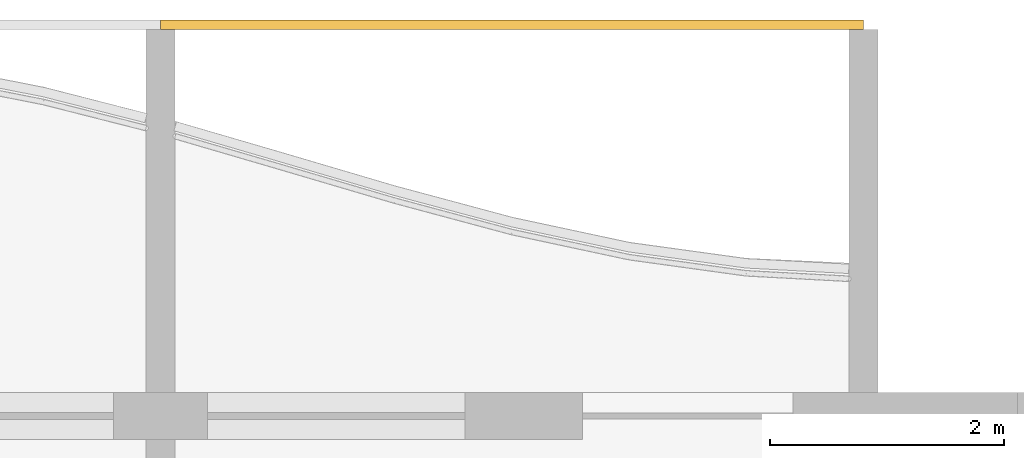
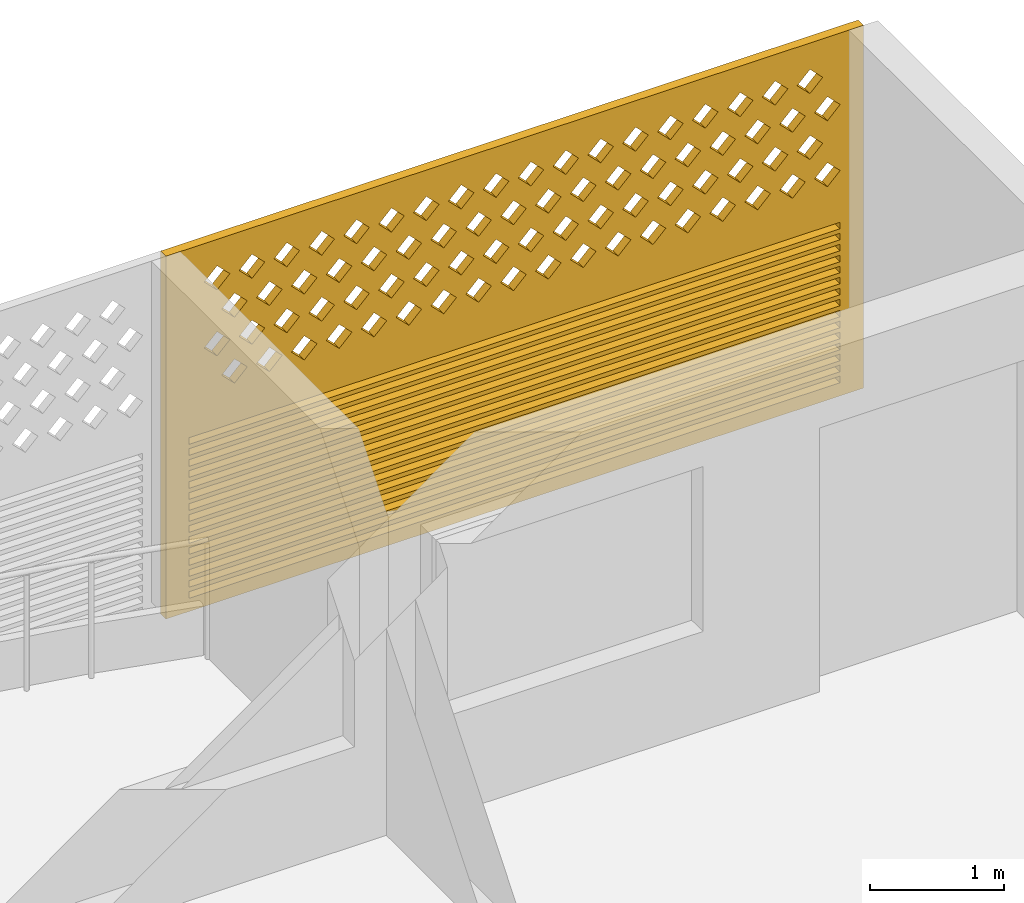
# One storey, part 28 of 28: 1 covering.
"""IFC4 building model written with IfcOpenShell, lengths in metres."""

import ifcopenshell
import ifcopenshell.guid

model = None  # the IFC model being written
_history = None  # IfcOwnerHistory: only IFC2X3 demands one
_inside = {}  # id of a spatial element -> (the spatial element, [elements in it])
_under = {}  # id of a project, library or spatial element -> (it, [spatial elements below it])
_declared = {}  # id of a project -> (the project, [libraries it declares])
_typed = {}  # id of a type object -> (the type object, [elements of that type])
_made_of = {}  # id of a material, layer set ... -> (it, [elements and type objects made of it])


def new_model(schema):
    """Start an empty IFC model of exactly this schema.

    Asked for "IFC4X3", IfcOpenShell would pick the latest addendum, in which some entities
    have other attributes; the version numbers below select the first issue.
    IFC2X3 requires an IfcOwnerHistory on every rooted entity: one is made here for all.
    """
    global model, _history
    if schema == "IFC4X3":
        model = ifcopenshell.file(schema_version=(4, 3, 0, 0))
    else:
        model = ifcopenshell.file(schema=schema)
    _inside.clear()
    _under.clear()
    _declared.clear()
    _typed.clear()
    _made_of.clear()
    _history = None
    if model.schema == "IFC2X3":
        org = make("IfcOrganization", Name="unknown")
        user = make(
            "IfcPersonAndOrganization",
            ThePerson=make("IfcPerson", FamilyName="unknown"),
            TheOrganization=org,
        )
        app = make(
            "IfcApplication",
            ApplicationDeveloper=org,
            Version="unknown",
            ApplicationFullName="unknown",
            ApplicationIdentifier="unknown",
        )
        _history = make(
            "IfcOwnerHistory",
            OwningUser=user,
            OwningApplication=app,
            ChangeAction="ADDED",
            CreationDate=0,
        )
    return model


def make(cls, **values):
    """One entity of the class cls with the attributes given. An attribute that is None is left unset."""
    return model.create_entity(
        cls, **{name: value for name, value in values.items() if value is not None}
    )


def rooted(cls, **values):
    """An entity with a GlobalId (a new one), such as an element, a storey or a relation."""
    return make(cls, GlobalId=ifcopenshell.guid.new(), OwnerHistory=_history, **values)


def si_unit(unit_type, name, prefix=None):
    """IfcSIUnit, for example si_unit("LENGTHUNIT", "METRE", prefix="MILLI")."""
    return make("IfcSIUnit", UnitType=unit_type, Prefix=prefix, Name=name)


def assignment(units):
    """IfcUnitAssignment: the units of a project."""
    return None if units is None else make("IfcUnitAssignment", Units=units)


def point(xyz):
    """IfcCartesianPoint."""
    return None if xyz is None else make("IfcCartesianPoint", Coordinates=xyz)


def direction(xyz):
    """IfcDirection."""
    return None if xyz is None else make("IfcDirection", DirectionRatios=xyz)


def frame(location, z_axis=None, x_axis=None):
    """IfcAxis2Placement3D, a coordinate frame: its origin and axes. An axis left out is left unset."""
    return make(
        "IfcAxis2Placement3D",
        Location=point(location),
        Axis=direction(z_axis),
        RefDirection=direction(x_axis),
    )


def origin():
    """The frame at (0, 0, 0) with its axes left unset."""
    return frame((0.0, 0.0, 0.0))


def place(relative_to, where):
    """IfcLocalPlacement: puts the frame where relative to a parent placement (None: the world)."""
    return make(
        "IfcLocalPlacement", PlacementRelTo=relative_to, RelativePlacement=where
    )


def context(
    kind, dimensions, precision=None, world=None, true_north=None, identifier=None
):
    """IfcGeometricRepresentationContext, for example the 3D "Model" context."""
    return make(
        "IfcGeometricRepresentationContext",
        ContextIdentifier=identifier,
        ContextType=kind,
        CoordinateSpaceDimension=dimensions,
        Precision=precision,
        WorldCoordinateSystem=world,
        TrueNorth=true_north,
    )


def subcontext(parent, identifier, kind, view, scale=None):
    """IfcGeometricRepresentationSubContext, for example "Body" below "Model"."""
    return make(
        "IfcGeometricRepresentationSubContext",
        ContextIdentifier=identifier,
        ContextType=kind,
        ParentContext=parent,
        TargetScale=scale,
        TargetView=view,
    )


def project(units=None, contexts=None):
    """IfcProject with its units and contexts."""
    return rooted(
        "IfcProject",
        Name="project",
        RepresentationContexts=contexts,
        UnitsInContext=assignment(units),
    )


def spatial(cls, under=None, at=None, **own):
    """A site, building, storey or space (cls), placed at a placement, below another one or the project."""
    s = rooted(cls, ObjectPlacement=at, **own)
    if under is not None:
        _under.setdefault(under.id(), (under, []))[1].append(s)
    return s


def polyline(points):
    """IfcPolyline through the points."""
    return make("IfcPolyline", Points=[point(p) for p in points])


def outline(outer, holes=None, kind="AREA"):
    """IfcArbitraryClosedProfileDef: a profile drawn as a closed curve; with holes, ...WithVoids."""
    if holes is None:
        return make("IfcArbitraryClosedProfileDef", ProfileType=kind, OuterCurve=outer)
    return make(
        "IfcArbitraryProfileDefWithVoids",
        ProfileType=kind,
        OuterCurve=outer,
        InnerCurves=holes,
    )


def extrude(swept, where, along, depth):
    """IfcExtrudedAreaSolid: the profile swept, set in the frame where, extruded along a direction by depth."""
    return make(
        "IfcExtrudedAreaSolid",
        SweptArea=swept,
        Position=where,
        ExtrudedDirection=direction(along),
        Depth=depth,
    )


def shape(context_of_items, identifier, shape_type, items):
    """IfcShapeRepresentation: the items that make up one representation, for example the "Body"."""
    return make(
        "IfcShapeRepresentation",
        ContextOfItems=context_of_items,
        RepresentationIdentifier=identifier,
        RepresentationType=shape_type,
        Items=items,
    )


def source(mapping_origin, context_of_items, identifier, shape_type, items):
    """IfcRepresentationMap: a shape defined once, which mapped items show again and again."""
    return make(
        "IfcRepresentationMap",
        MappingOrigin=mapping_origin,
        MappedRepresentation=shape(context_of_items, identifier, shape_type, items),
    )


def transform(
    local_origin,
    x_axis=None,
    y_axis=None,
    z_axis=None,
    scale=None,
    scale2=None,
    scale3=None,
    uniform=True,
):
    """IfcCartesianTransformationOperator3D, or its non-uniform kind. x_axis, y_axis, z_axis: its Axis1, 2, 3."""
    if uniform:
        return make(
            "IfcCartesianTransformationOperator3D",
            Axis1=direction(x_axis),
            Axis2=direction(y_axis),
            LocalOrigin=point(local_origin),
            Scale=scale,
            Axis3=direction(z_axis),
        )
    return make(
        "IfcCartesianTransformationOperator3DnonUniform",
        Axis1=direction(x_axis),
        Axis2=direction(y_axis),
        LocalOrigin=point(local_origin),
        Scale=scale,
        Axis3=direction(z_axis),
        Scale2=scale2,
        Scale3=scale3,
    )


def mapped(mapping_source, mapping_target):
    """IfcMappedItem: shows the shape of a source again, moved by a transform."""
    return make(
        "IfcMappedItem", MappingSource=mapping_source, MappingTarget=mapping_target
    )


def material(Name=None, Category=None):
    """IfcMaterial."""
    return make("IfcMaterial", Name=Name, Category=Category)


def material_profile(
    of_material, cross_section, Name=None, Category=None, Priority=None
):
    """IfcMaterialProfile: a cross section and its material."""
    return make(
        "IfcMaterialProfile",
        Name=Name,
        Material=of_material,
        Profile=cross_section,
        Priority=Priority,
        Category=Category,
    )


def profile_set(profiles, Name=None, composite=None):
    """IfcMaterialProfileSet."""
    return make(
        "IfcMaterialProfileSet",
        Name=Name,
        MaterialProfiles=profiles,
        CompositeProfile=composite,
    )


def made_of(thing, what):
    """Note that an element or type object is made of a material, layer set ...; save() writes the relation."""
    if what is not None:
        _made_of.setdefault(what.id(), (what, []))[1].append(thing)
    return thing


def type_object(cls, material=None, **own):
    """A type object (cls), such as IfcWallType, which elements share."""
    return made_of(rooted(cls, **own), material)


def element(
    cls,
    number,
    at=None,
    inside=None,
    cuts=None,
    type_object=None,
    material=None,
    context=None,
    identifier="Body",
    shape_type=None,
    held_by="IfcProductDefinitionShape",
    body=None,
    shapes=None,
    **own,
):
    """One element of the class cls, such as IfcWall. Its Tag is "e" and its number.

    at: its placement. inside: the storey or other place that contains it. cuts: it is an
    opening in that element (IfcRelVoidsElement). A single representation is given by context,
    identifier, shape_type and body (its items); several are given by shapes. held_by: the class
    of the entity that holds the representations. save() writes the other relations.
    """
    e = rooted(cls, Tag="e%d" % number, ObjectPlacement=at, **own)
    if body is not None:
        shapes = [shape(context, identifier, shape_type, body)]
    if shapes is not None:
        e.Representation = make(held_by, Representations=shapes)
    if inside is not None:
        _inside.setdefault(inside.id(), (inside, []))[1].append(e)
    if cuts is not None:
        rooted(
            "IfcRelVoidsElement", RelatingBuildingElement=cuts, RelatedOpeningElement=e
        )
    if type_object is not None:
        _typed.setdefault(type_object.id(), (type_object, []))[1].append(e)
    return made_of(e, material)


def aggregate(whole, parts):
    """IfcRelAggregates: a whole, such as a stair, and the parts it consists of."""
    return rooted("IfcRelAggregates", RelatingObject=whole, RelatedObjects=parts)


def save(model, path):
    """Write the relations noted so far, then the file.

    IfcRelAggregates (storeys below a building ...), IfcRelContainedInSpatialStructure (elements
    in a storey), IfcRelDefinesByType, IfcRelAssociatesMaterial and IfcRelDeclares: one each for
    every whole, place, type object, material and project.
    """
    for whole, parts in _under.values():
        aggregate(whole, parts)
    for where, things in _inside.values():
        rooted(
            "IfcRelContainedInSpatialStructure",
            RelatedElements=things,
            RelatingStructure=where,
        )
    for kind, things in _typed.values():
        rooted("IfcRelDefinesByType", RelatedObjects=things, RelatingType=kind)
    for what, things in _made_of.values():
        rooted("IfcRelAssociatesMaterial", RelatedObjects=things, RelatingMaterial=what)
    for by, libraries in _declared.values():
        rooted("IfcRelDeclares", RelatingContext=by, RelatedDefinitions=libraries)
    model.write(path)


model = new_model("IFC4")

# Units and contexts
model_context = context("Model", 3, precision=1e-05, world=origin(), true_north=direction((0.0, 1.0)))
body_context = subcontext(model_context, "Body", "Model", "MODEL_VIEW")
ifc_project = project(units=[si_unit("LENGTHUNIT", "METRE"), si_unit("AREAUNIT", "SQUARE_METRE"), si_unit("VOLUMEUNIT", "CUBIC_METRE"), si_unit("PLANEANGLEUNIT", "RADIAN"), si_unit("MASSUNIT", "GRAM", prefix="KILO")], contexts=[model_context])

# Site, building, storey
site_placement = place(None, origin())
site = spatial("IfcSite", under=ifc_project, at=site_placement, CompositionType="ELEMENT")
building_placement = place(site_placement, origin())
building = spatial("IfcBuilding", under=site, at=building_placement, Name="Poui Terraces", CompositionType="ELEMENT")
storey_placement = place(building_placement, frame((0.0, 0.0, 181.800048828125)))
storey = spatial("IfcBuildingStorey", under=building, at=storey_placement, Name="L50", CompositionType="ELEMENT", Elevation=181.800048828125)

# Covering
ifc_material = material(Name="Terracotta screen", Category="masonry")
ifc_material_profile = material_profile(ifc_material, outline(polyline([(-3.0, -1.64990234375), (3.0, -1.64990234375), (3.0, 1.64990234375), (-3.0, 1.64990234375), (-3.0, -1.64990234375)]), holes=[polyline([(-2.800048828125, 0.39990234375), (-2.68994140625, 0.2900390625), (-2.580078125, 0.39990234375), (-2.68994140625, 0.510009765625), (-2.800048828125, 0.39990234375)]), polyline([(-2.5, 0.39990234375), (-2.389892578125, 0.2900390625), (-2.280029296875, 0.39990234375), (-2.389892578125, 0.510009765625), (-2.5, 0.39990234375)]), polyline([(-2.199951171875, 0.39990234375), (-2.090087890625, 0.2900390625), (-1.97998046875, 0.39990234375), (-2.090087890625, 0.510009765625), (-2.199951171875, 0.39990234375)]), polyline([(-1.89990234375, 0.39990234375), (-1.7900390625, 0.2900390625), (-1.679931640625, 0.39990234375), (-1.7900390625, 0.510009765625), (-1.89990234375, 0.39990234375)]), polyline([(-1.60009765625, 0.39990234375), (-1.489990234375, 0.2900390625), (-1.3798828125, 0.39990234375), (-1.489990234375, 0.510009765625), (-1.60009765625, 0.39990234375)]), polyline([(-1.300048828125, 0.39990234375), (-1.18994140625, 0.2900390625), (-1.080078125, 0.39990234375), (-1.18994140625, 0.510009765625), (-1.300048828125, 0.39990234375)]), polyline([(-1.0, 0.39990234375), (-0.889892578125, 0.2900390625), (-0.780029296875, 0.39990234375), (-0.889892578125, 0.510009765625), (-1.0, 0.39990234375)]), polyline([(-0.699951171875, 0.39990234375), (-0.590087890625, 0.2900390625), (-0.47998046875, 0.39990234375), (-0.590087890625, 0.510009765625), (-0.699951171875, 0.39990234375)]), polyline([(-0.39990234375, 0.39990234375), (-0.2900390625, 0.2900390625), (-0.179931640625, 0.39990234375), (-0.2900390625, 0.510009765625), (-0.39990234375, 0.39990234375)]), polyline([(-0.10009765625, 0.39990234375), (0.010009765625, 0.2900390625), (0.1201171875, 0.39990234375), (0.010009765625, 0.510009765625), (-0.10009765625, 0.39990234375)]), polyline([(0.199951171875, 0.39990234375), (0.31005859375, 0.2900390625), (0.419921875, 0.39990234375), (0.31005859375, 0.510009765625), (0.199951171875, 0.39990234375)]), polyline([(0.5, 0.39990234375), (0.610107421875, 0.2900390625), (0.719970703125, 0.39990234375), (0.610107421875, 0.510009765625), (0.5, 0.39990234375)]), polyline([(0.800048828125, 0.39990234375), (0.909912109375, 0.2900390625), (1.02001953125, 0.39990234375), (0.909912109375, 0.510009765625), (0.800048828125, 0.39990234375)]), polyline([(1.10009765625, 0.39990234375), (1.2099609375, 0.2900390625), (1.320068359375, 0.39990234375), (1.2099609375, 0.510009765625), (1.10009765625, 0.39990234375)]), polyline([(1.39990234375, 0.39990234375), (1.510009765625, 0.2900390625), (1.6201171875, 0.39990234375), (1.510009765625, 0.510009765625), (1.39990234375, 0.39990234375)]), polyline([(1.699951171875, 0.39990234375), (1.81005859375, 0.2900390625), (1.919921875, 0.39990234375), (1.81005859375, 0.510009765625), (1.699951171875, 0.39990234375)]), polyline([(2.0, 0.39990234375), (2.110107421875, 0.2900390625), (2.219970703125, 0.39990234375), (2.110107421875, 0.510009765625), (2.0, 0.39990234375)]), polyline([(2.300048828125, 0.39990234375), (2.409912109375, 0.2900390625), (2.52001953125, 0.39990234375), (2.409912109375, 0.510009765625), (2.300048828125, 0.39990234375)]), polyline([(-2.64990234375, 0.699951171875), (-2.5400390625, 0.590087890625), (-2.429931640625, 0.699951171875), (-2.5400390625, 0.81005859375), (-2.64990234375, 0.699951171875)]), polyline([(-2.35009765625, 0.699951171875), (-2.239990234375, 0.590087890625), (-2.1298828125, 0.699951171875), (-2.239990234375, 0.81005859375), (-2.35009765625, 0.699951171875)]), polyline([(-2.050048828125, 0.699951171875), (-1.93994140625, 0.590087890625), (-1.830078125, 0.699951171875), (-1.93994140625, 0.81005859375), (-2.050048828125, 0.699951171875)]), polyline([(-1.75, 0.699951171875), (-1.639892578125, 0.590087890625), (-1.530029296875, 0.699951171875), (-1.639892578125, 0.81005859375), (-1.75, 0.699951171875)]), polyline([(-1.449951171875, 0.699951171875), (-1.340087890625, 0.590087890625), (-1.22998046875, 0.699951171875), (-1.340087890625, 0.81005859375), (-1.449951171875, 0.699951171875)]), polyline([(-1.14990234375, 0.699951171875), (-1.0400390625, 0.590087890625), (-0.929931640625, 0.699951171875), (-1.0400390625, 0.81005859375), (-1.14990234375, 0.699951171875)]), polyline([(-0.85009765625, 0.699951171875), (-0.739990234375, 0.590087890625), (-0.6298828125, 0.699951171875), (-0.739990234375, 0.81005859375), (-0.85009765625, 0.699951171875)]), polyline([(-0.550048828125, 0.699951171875), (-0.43994140625, 0.590087890625), (-0.330078125, 0.699951171875), (-0.43994140625, 0.81005859375), (-0.550048828125, 0.699951171875)]), polyline([(-0.25, 0.699951171875), (-0.139892578125, 0.590087890625), (-0.030029296875, 0.699951171875), (-0.139892578125, 0.81005859375), (-0.25, 0.699951171875)]), polyline([(0.050048828125, 0.699951171875), (0.159912109375, 0.590087890625), (0.27001953125, 0.699951171875), (0.159912109375, 0.81005859375), (0.050048828125, 0.699951171875)]), polyline([(0.35009765625, 0.699951171875), (0.4599609375, 0.590087890625), (0.570068359375, 0.699951171875), (0.4599609375, 0.81005859375), (0.35009765625, 0.699951171875)]), polyline([(0.64990234375, 0.699951171875), (0.760009765625, 0.590087890625), (0.8701171875, 0.699951171875), (0.760009765625, 0.81005859375), (0.64990234375, 0.699951171875)]), polyline([(0.949951171875, 0.699951171875), (1.06005859375, 0.590087890625), (1.169921875, 0.699951171875), (1.06005859375, 0.81005859375), (0.949951171875, 0.699951171875)]), polyline([(1.25, 0.699951171875), (1.360107421875, 0.590087890625), (1.469970703125, 0.699951171875), (1.360107421875, 0.81005859375), (1.25, 0.699951171875)]), polyline([(1.550048828125, 0.699951171875), (1.659912109375, 0.590087890625), (1.77001953125, 0.699951171875), (1.659912109375, 0.81005859375), (1.550048828125, 0.699951171875)]), polyline([(1.85009765625, 0.699951171875), (1.9599609375, 0.590087890625), (2.070068359375, 0.699951171875), (1.9599609375, 0.81005859375), (1.85009765625, 0.699951171875)]), polyline([(2.14990234375, 0.699951171875), (2.260009765625, 0.590087890625), (2.3701171875, 0.699951171875), (2.260009765625, 0.81005859375), (2.14990234375, 0.699951171875)]), polyline([(2.449951171875, 0.699951171875), (2.56005859375, 0.590087890625), (2.669921875, 0.699951171875), (2.56005859375, 0.81005859375), (2.449951171875, 0.699951171875)]), polyline([(-2.800048828125, 1.0), (-2.68994140625, 0.889892578125), (-2.580078125, 1.0), (-2.68994140625, 1.110107421875), (-2.800048828125, 1.0)]), polyline([(-2.5, 1.0), (-2.389892578125, 0.889892578125), (-2.280029296875, 1.0), (-2.389892578125, 1.110107421875), (-2.5, 1.0)]), polyline([(-2.199951171875, 1.0), (-2.090087890625, 0.889892578125), (-1.97998046875, 1.0), (-2.090087890625, 1.110107421875), (-2.199951171875, 1.0)]), polyline([(-1.89990234375, 1.0), (-1.7900390625, 0.889892578125), (-1.679931640625, 1.0), (-1.7900390625, 1.110107421875), (-1.89990234375, 1.0)]), polyline([(-1.60009765625, 1.0), (-1.489990234375, 0.889892578125), (-1.3798828125, 1.0), (-1.489990234375, 1.110107421875), (-1.60009765625, 1.0)]), polyline([(-1.300048828125, 1.0), (-1.18994140625, 0.889892578125), (-1.080078125, 1.0), (-1.18994140625, 1.110107421875), (-1.300048828125, 1.0)]), polyline([(-1.0, 1.0), (-0.889892578125, 0.889892578125), (-0.780029296875, 1.0), (-0.889892578125, 1.110107421875), (-1.0, 1.0)]), polyline([(-0.699951171875, 1.0), (-0.590087890625, 0.889892578125), (-0.47998046875, 1.0), (-0.590087890625, 1.110107421875), (-0.699951171875, 1.0)]), polyline([(-0.39990234375, 1.0), (-0.2900390625, 0.889892578125), (-0.179931640625, 1.0), (-0.2900390625, 1.110107421875), (-0.39990234375, 1.0)]), polyline([(-0.10009765625, 1.0), (0.010009765625, 0.889892578125), (0.1201171875, 1.0), (0.010009765625, 1.110107421875), (-0.10009765625, 1.0)]), polyline([(0.199951171875, 1.0), (0.31005859375, 0.889892578125), (0.419921875, 1.0), (0.31005859375, 1.110107421875), (0.199951171875, 1.0)]), polyline([(0.5, 1.0), (0.610107421875, 0.889892578125), (0.719970703125, 1.0), (0.610107421875, 1.110107421875), (0.5, 1.0)]), polyline([(0.800048828125, 1.0), (0.909912109375, 0.889892578125), (1.02001953125, 1.0), (0.909912109375, 1.110107421875), (0.800048828125, 1.0)]), polyline([(1.10009765625, 1.0), (1.2099609375, 0.889892578125), (1.320068359375, 1.0), (1.2099609375, 1.110107421875), (1.10009765625, 1.0)]), polyline([(1.39990234375, 1.0), (1.510009765625, 0.889892578125), (1.6201171875, 1.0), (1.510009765625, 1.110107421875), (1.39990234375, 1.0)]), polyline([(1.699951171875, 1.0), (1.81005859375, 0.889892578125), (1.919921875, 1.0), (1.81005859375, 1.110107421875), (1.699951171875, 1.0)]), polyline([(2.0, 1.0), (2.110107421875, 0.889892578125), (2.219970703125, 1.0), (2.110107421875, 1.110107421875), (2.0, 1.0)]), polyline([(2.300048828125, 1.0), (2.409912109375, 0.889892578125), (2.52001953125, 1.0), (2.409912109375, 1.110107421875), (2.300048828125, 1.0)]), polyline([(-2.64990234375, 1.300048828125), (-2.5400390625, 1.18994140625), (-2.429931640625, 1.300048828125), (-2.5400390625, 1.409912109375), (-2.64990234375, 1.300048828125)]), polyline([(-2.35009765625, 1.300048828125), (-2.239990234375, 1.18994140625), (-2.1298828125, 1.300048828125), (-2.239990234375, 1.409912109375), (-2.35009765625, 1.300048828125)]), polyline([(-2.050048828125, 1.300048828125), (-1.93994140625, 1.18994140625), (-1.830078125, 1.300048828125), (-1.93994140625, 1.409912109375), (-2.050048828125, 1.300048828125)]), polyline([(-1.75, 1.300048828125), (-1.639892578125, 1.18994140625), (-1.530029296875, 1.300048828125), (-1.639892578125, 1.409912109375), (-1.75, 1.300048828125)]), polyline([(-1.449951171875, 1.300048828125), (-1.340087890625, 1.18994140625), (-1.22998046875, 1.300048828125), (-1.340087890625, 1.409912109375), (-1.449951171875, 1.300048828125)]), polyline([(-1.14990234375, 1.300048828125), (-1.0400390625, 1.18994140625), (-0.929931640625, 1.300048828125), (-1.0400390625, 1.409912109375), (-1.14990234375, 1.300048828125)]), polyline([(-0.85009765625, 1.300048828125), (-0.739990234375, 1.18994140625), (-0.6298828125, 1.300048828125), (-0.739990234375, 1.409912109375), (-0.85009765625, 1.300048828125)]), polyline([(-0.550048828125, 1.300048828125), (-0.43994140625, 1.18994140625), (-0.330078125, 1.300048828125), (-0.43994140625, 1.409912109375), (-0.550048828125, 1.300048828125)]), polyline([(-0.25, 1.300048828125), (-0.139892578125, 1.18994140625), (-0.030029296875, 1.300048828125), (-0.139892578125, 1.409912109375), (-0.25, 1.300048828125)]), polyline([(0.050048828125, 1.300048828125), (0.159912109375, 1.18994140625), (0.27001953125, 1.300048828125), (0.159912109375, 1.409912109375), (0.050048828125, 1.300048828125)]), polyline([(0.35009765625, 1.300048828125), (0.4599609375, 1.18994140625), (0.570068359375, 1.300048828125), (0.4599609375, 1.409912109375), (0.35009765625, 1.300048828125)]), polyline([(0.64990234375, 1.300048828125), (0.760009765625, 1.18994140625), (0.8701171875, 1.300048828125), (0.760009765625, 1.409912109375), (0.64990234375, 1.300048828125)]), polyline([(0.949951171875, 1.300048828125), (1.06005859375, 1.18994140625), (1.169921875, 1.300048828125), (1.06005859375, 1.409912109375), (0.949951171875, 1.300048828125)]), polyline([(1.25, 1.300048828125), (1.360107421875, 1.18994140625), (1.469970703125, 1.300048828125), (1.360107421875, 1.409912109375), (1.25, 1.300048828125)]), polyline([(1.550048828125, 1.300048828125), (1.659912109375, 1.18994140625), (1.77001953125, 1.300048828125), (1.659912109375, 1.409912109375), (1.550048828125, 1.300048828125)]), polyline([(1.85009765625, 1.300048828125), (1.9599609375, 1.18994140625), (2.070068359375, 1.300048828125), (1.9599609375, 1.409912109375), (1.85009765625, 1.300048828125)]), polyline([(2.14990234375, 1.300048828125), (2.260009765625, 1.18994140625), (2.3701171875, 1.300048828125), (2.260009765625, 1.409912109375), (2.14990234375, 1.300048828125)]), polyline([(2.449951171875, 1.300048828125), (2.56005859375, 1.18994140625), (2.669921875, 1.300048828125), (2.56005859375, 1.409912109375), (2.449951171875, 1.300048828125)]), polyline([(-2.800048828125, -1.530029296875), (2.800048828125, -1.530029296875), (2.800048828125, -1.469970703125), (-2.800048828125, -1.469970703125), (-2.800048828125, -1.530029296875)]), polyline([(-2.800048828125, -1.429931640625), (2.800048828125, -1.429931640625), (2.800048828125, -1.3701171875), (-2.800048828125, -1.3701171875), (-2.800048828125, -1.429931640625)]), polyline([(-2.800048828125, -1.330078125), (2.800048828125, -1.330078125), (2.800048828125, -1.27001953125), (-2.800048828125, -1.27001953125), (-2.800048828125, -1.330078125)]), polyline([(-2.800048828125, -1.22998046875), (2.800048828125, -1.22998046875), (2.800048828125, -1.169921875), (-2.800048828125, -1.169921875), (-2.800048828125, -1.22998046875)]), polyline([(-2.800048828125, -1.1298828125), (2.800048828125, -1.1298828125), (2.800048828125, -1.070068359375), (-2.800048828125, -1.070068359375), (-2.800048828125, -1.1298828125)]), polyline([(-2.800048828125, -1.030029296875), (2.800048828125, -1.030029296875), (2.800048828125, -0.969970703125), (-2.800048828125, -0.969970703125), (-2.800048828125, -1.030029296875)]), polyline([(-2.800048828125, -0.929931640625), (2.800048828125, -0.929931640625), (2.800048828125, -0.8701171875), (-2.800048828125, -0.8701171875), (-2.800048828125, -0.929931640625)]), polyline([(-2.800048828125, -0.830078125), (2.800048828125, -0.830078125), (2.800048828125, -0.77001953125), (-2.800048828125, -0.77001953125), (-2.800048828125, -0.830078125)]), polyline([(-2.800048828125, -0.72998046875), (2.800048828125, -0.72998046875), (2.800048828125, -0.669921875), (-2.800048828125, -0.669921875), (-2.800048828125, -0.72998046875)]), polyline([(-2.800048828125, -0.6298828125), (2.800048828125, -0.6298828125), (2.800048828125, -0.570068359375), (-2.800048828125, -0.570068359375), (-2.800048828125, -0.6298828125)]), polyline([(-2.800048828125, -0.530029296875), (2.800048828125, -0.530029296875), (2.800048828125, -0.469970703125), (-2.800048828125, -0.469970703125), (-2.800048828125, -0.530029296875)]), polyline([(-2.800048828125, -0.429931640625), (2.800048828125, -0.429931640625), (2.800048828125, -0.3701171875), (-2.800048828125, -0.3701171875), (-2.800048828125, -0.429931640625)]), polyline([(-2.800048828125, -0.330078125), (2.800048828125, -0.330078125), (2.800048828125, -0.27001953125), (-2.800048828125, -0.27001953125), (-2.800048828125, -0.330078125)]), polyline([(-2.800048828125, -0.22998046875), (2.800048828125, -0.22998046875), (2.800048828125, -0.169921875), (-2.800048828125, -0.169921875), (-2.800048828125, -0.22998046875)]), polyline([(-2.800048828125, -0.1298828125), (2.800048828125, -0.1298828125), (2.800048828125, -0.070068359375), (-2.800048828125, -0.070068359375), (-2.800048828125, -0.1298828125)])]), Name="TERRACOTTA SCREEN AND JALOUSIE LOUVRE 6000X3300")
ifc_profile_set = profile_set([ifc_material_profile], Name="Terracotta screen")
covering_type = type_object("IfcCoveringType", Name="TERRACOTTA SCREEN AND JALOUSIE LOUVRE 6000X3300", PredefinedType="CLADDING", material=ifc_profile_set)
shared_shape = source(origin(), body_context, "Body", "SweptSolid", [
    extrude(outline(polyline([(-3.0, -1.64990234375), (3.0, -1.64990234375), (3.0, 1.64990234375), (-3.0, 1.64990234375), (-3.0, -1.64990234375)]), holes=[polyline([(-2.800048828125, 0.39990234375), (-2.68994140625, 0.2900390625), (-2.580078125, 0.39990234375), (-2.68994140625, 0.510009765625), (-2.800048828125, 0.39990234375)]), polyline([(-2.5, 0.39990234375), (-2.389892578125, 0.2900390625), (-2.280029296875, 0.39990234375), (-2.389892578125, 0.510009765625), (-2.5, 0.39990234375)]), polyline([(-2.199951171875, 0.39990234375), (-2.090087890625, 0.2900390625), (-1.97998046875, 0.39990234375), (-2.090087890625, 0.510009765625), (-2.199951171875, 0.39990234375)]), polyline([(-1.89990234375, 0.39990234375), (-1.7900390625, 0.2900390625), (-1.679931640625, 0.39990234375), (-1.7900390625, 0.510009765625), (-1.89990234375, 0.39990234375)]), polyline([(-1.60009765625, 0.39990234375), (-1.489990234375, 0.2900390625), (-1.3798828125, 0.39990234375), (-1.489990234375, 0.510009765625), (-1.60009765625, 0.39990234375)]), polyline([(-1.300048828125, 0.39990234375), (-1.18994140625, 0.2900390625), (-1.080078125, 0.39990234375), (-1.18994140625, 0.510009765625), (-1.300048828125, 0.39990234375)]), polyline([(-1.0, 0.39990234375), (-0.889892578125, 0.2900390625), (-0.780029296875, 0.39990234375), (-0.889892578125, 0.510009765625), (-1.0, 0.39990234375)]), polyline([(-0.699951171875, 0.39990234375), (-0.590087890625, 0.2900390625), (-0.47998046875, 0.39990234375), (-0.590087890625, 0.510009765625), (-0.699951171875, 0.39990234375)]), polyline([(-0.39990234375, 0.39990234375), (-0.2900390625, 0.2900390625), (-0.179931640625, 0.39990234375), (-0.2900390625, 0.510009765625), (-0.39990234375, 0.39990234375)]), polyline([(-0.10009765625, 0.39990234375), (0.010009765625, 0.2900390625), (0.1201171875, 0.39990234375), (0.010009765625, 0.510009765625), (-0.10009765625, 0.39990234375)]), polyline([(0.199951171875, 0.39990234375), (0.31005859375, 0.2900390625), (0.419921875, 0.39990234375), (0.31005859375, 0.510009765625), (0.199951171875, 0.39990234375)]), polyline([(0.5, 0.39990234375), (0.610107421875, 0.2900390625), (0.719970703125, 0.39990234375), (0.610107421875, 0.510009765625), (0.5, 0.39990234375)]), polyline([(0.800048828125, 0.39990234375), (0.909912109375, 0.2900390625), (1.02001953125, 0.39990234375), (0.909912109375, 0.510009765625), (0.800048828125, 0.39990234375)]), polyline([(1.10009765625, 0.39990234375), (1.2099609375, 0.2900390625), (1.320068359375, 0.39990234375), (1.2099609375, 0.510009765625), (1.10009765625, 0.39990234375)]), polyline([(1.39990234375, 0.39990234375), (1.510009765625, 0.2900390625), (1.6201171875, 0.39990234375), (1.510009765625, 0.510009765625), (1.39990234375, 0.39990234375)]), polyline([(1.699951171875, 0.39990234375), (1.81005859375, 0.2900390625), (1.919921875, 0.39990234375), (1.81005859375, 0.510009765625), (1.699951171875, 0.39990234375)]), polyline([(2.0, 0.39990234375), (2.110107421875, 0.2900390625), (2.219970703125, 0.39990234375), (2.110107421875, 0.510009765625), (2.0, 0.39990234375)]), polyline([(2.300048828125, 0.39990234375), (2.409912109375, 0.2900390625), (2.52001953125, 0.39990234375), (2.409912109375, 0.510009765625), (2.300048828125, 0.39990234375)]), polyline([(-2.64990234375, 0.699951171875), (-2.5400390625, 0.590087890625), (-2.429931640625, 0.699951171875), (-2.5400390625, 0.81005859375), (-2.64990234375, 0.699951171875)]), polyline([(-2.35009765625, 0.699951171875), (-2.239990234375, 0.590087890625), (-2.1298828125, 0.699951171875), (-2.239990234375, 0.81005859375), (-2.35009765625, 0.699951171875)]), polyline([(-2.050048828125, 0.699951171875), (-1.93994140625, 0.590087890625), (-1.830078125, 0.699951171875), (-1.93994140625, 0.81005859375), (-2.050048828125, 0.699951171875)]), polyline([(-1.75, 0.699951171875), (-1.639892578125, 0.590087890625), (-1.530029296875, 0.699951171875), (-1.639892578125, 0.81005859375), (-1.75, 0.699951171875)]), polyline([(-1.449951171875, 0.699951171875), (-1.340087890625, 0.590087890625), (-1.22998046875, 0.699951171875), (-1.340087890625, 0.81005859375), (-1.449951171875, 0.699951171875)]), polyline([(-1.14990234375, 0.699951171875), (-1.0400390625, 0.590087890625), (-0.929931640625, 0.699951171875), (-1.0400390625, 0.81005859375), (-1.14990234375, 0.699951171875)]), polyline([(-0.85009765625, 0.699951171875), (-0.739990234375, 0.590087890625), (-0.6298828125, 0.699951171875), (-0.739990234375, 0.81005859375), (-0.85009765625, 0.699951171875)]), polyline([(-0.550048828125, 0.699951171875), (-0.43994140625, 0.590087890625), (-0.330078125, 0.699951171875), (-0.43994140625, 0.81005859375), (-0.550048828125, 0.699951171875)]), polyline([(-0.25, 0.699951171875), (-0.139892578125, 0.590087890625), (-0.030029296875, 0.699951171875), (-0.139892578125, 0.81005859375), (-0.25, 0.699951171875)]), polyline([(0.050048828125, 0.699951171875), (0.159912109375, 0.590087890625), (0.27001953125, 0.699951171875), (0.159912109375, 0.81005859375), (0.050048828125, 0.699951171875)]), polyline([(0.35009765625, 0.699951171875), (0.4599609375, 0.590087890625), (0.570068359375, 0.699951171875), (0.4599609375, 0.81005859375), (0.35009765625, 0.699951171875)]), polyline([(0.64990234375, 0.699951171875), (0.760009765625, 0.590087890625), (0.8701171875, 0.699951171875), (0.760009765625, 0.81005859375), (0.64990234375, 0.699951171875)]), polyline([(0.949951171875, 0.699951171875), (1.06005859375, 0.590087890625), (1.169921875, 0.699951171875), (1.06005859375, 0.81005859375), (0.949951171875, 0.699951171875)]), polyline([(1.25, 0.699951171875), (1.360107421875, 0.590087890625), (1.469970703125, 0.699951171875), (1.360107421875, 0.81005859375), (1.25, 0.699951171875)]), polyline([(1.550048828125, 0.699951171875), (1.659912109375, 0.590087890625), (1.77001953125, 0.699951171875), (1.659912109375, 0.81005859375), (1.550048828125, 0.699951171875)]), polyline([(1.85009765625, 0.699951171875), (1.9599609375, 0.590087890625), (2.070068359375, 0.699951171875), (1.9599609375, 0.81005859375), (1.85009765625, 0.699951171875)]), polyline([(2.14990234375, 0.699951171875), (2.260009765625, 0.590087890625), (2.3701171875, 0.699951171875), (2.260009765625, 0.81005859375), (2.14990234375, 0.699951171875)]), polyline([(2.449951171875, 0.699951171875), (2.56005859375, 0.590087890625), (2.669921875, 0.699951171875), (2.56005859375, 0.81005859375), (2.449951171875, 0.699951171875)]), polyline([(-2.800048828125, 1.0), (-2.68994140625, 0.889892578125), (-2.580078125, 1.0), (-2.68994140625, 1.110107421875), (-2.800048828125, 1.0)]), polyline([(-2.5, 1.0), (-2.389892578125, 0.889892578125), (-2.280029296875, 1.0), (-2.389892578125, 1.110107421875), (-2.5, 1.0)]), polyline([(-2.199951171875, 1.0), (-2.090087890625, 0.889892578125), (-1.97998046875, 1.0), (-2.090087890625, 1.110107421875), (-2.199951171875, 1.0)]), polyline([(-1.89990234375, 1.0), (-1.7900390625, 0.889892578125), (-1.679931640625, 1.0), (-1.7900390625, 1.110107421875), (-1.89990234375, 1.0)]), polyline([(-1.60009765625, 1.0), (-1.489990234375, 0.889892578125), (-1.3798828125, 1.0), (-1.489990234375, 1.110107421875), (-1.60009765625, 1.0)]), polyline([(-1.300048828125, 1.0), (-1.18994140625, 0.889892578125), (-1.080078125, 1.0), (-1.18994140625, 1.110107421875), (-1.300048828125, 1.0)]), polyline([(-1.0, 1.0), (-0.889892578125, 0.889892578125), (-0.780029296875, 1.0), (-0.889892578125, 1.110107421875), (-1.0, 1.0)]), polyline([(-0.699951171875, 1.0), (-0.590087890625, 0.889892578125), (-0.47998046875, 1.0), (-0.590087890625, 1.110107421875), (-0.699951171875, 1.0)]), polyline([(-0.39990234375, 1.0), (-0.2900390625, 0.889892578125), (-0.179931640625, 1.0), (-0.2900390625, 1.110107421875), (-0.39990234375, 1.0)]), polyline([(-0.10009765625, 1.0), (0.010009765625, 0.889892578125), (0.1201171875, 1.0), (0.010009765625, 1.110107421875), (-0.10009765625, 1.0)]), polyline([(0.199951171875, 1.0), (0.31005859375, 0.889892578125), (0.419921875, 1.0), (0.31005859375, 1.110107421875), (0.199951171875, 1.0)]), polyline([(0.5, 1.0), (0.610107421875, 0.889892578125), (0.719970703125, 1.0), (0.610107421875, 1.110107421875), (0.5, 1.0)]), polyline([(0.800048828125, 1.0), (0.909912109375, 0.889892578125), (1.02001953125, 1.0), (0.909912109375, 1.110107421875), (0.800048828125, 1.0)]), polyline([(1.10009765625, 1.0), (1.2099609375, 0.889892578125), (1.320068359375, 1.0), (1.2099609375, 1.110107421875), (1.10009765625, 1.0)]), polyline([(1.39990234375, 1.0), (1.510009765625, 0.889892578125), (1.6201171875, 1.0), (1.510009765625, 1.110107421875), (1.39990234375, 1.0)]), polyline([(1.699951171875, 1.0), (1.81005859375, 0.889892578125), (1.919921875, 1.0), (1.81005859375, 1.110107421875), (1.699951171875, 1.0)]), polyline([(2.0, 1.0), (2.110107421875, 0.889892578125), (2.219970703125, 1.0), (2.110107421875, 1.110107421875), (2.0, 1.0)]), polyline([(2.300048828125, 1.0), (2.409912109375, 0.889892578125), (2.52001953125, 1.0), (2.409912109375, 1.110107421875), (2.300048828125, 1.0)]), polyline([(-2.64990234375, 1.300048828125), (-2.5400390625, 1.18994140625), (-2.429931640625, 1.300048828125), (-2.5400390625, 1.409912109375), (-2.64990234375, 1.300048828125)]), polyline([(-2.35009765625, 1.300048828125), (-2.239990234375, 1.18994140625), (-2.1298828125, 1.300048828125), (-2.239990234375, 1.409912109375), (-2.35009765625, 1.300048828125)]), polyline([(-2.050048828125, 1.300048828125), (-1.93994140625, 1.18994140625), (-1.830078125, 1.300048828125), (-1.93994140625, 1.409912109375), (-2.050048828125, 1.300048828125)]), polyline([(-1.75, 1.300048828125), (-1.639892578125, 1.18994140625), (-1.530029296875, 1.300048828125), (-1.639892578125, 1.409912109375), (-1.75, 1.300048828125)]), polyline([(-1.449951171875, 1.300048828125), (-1.340087890625, 1.18994140625), (-1.22998046875, 1.300048828125), (-1.340087890625, 1.409912109375), (-1.449951171875, 1.300048828125)]), polyline([(-1.14990234375, 1.300048828125), (-1.0400390625, 1.18994140625), (-0.929931640625, 1.300048828125), (-1.0400390625, 1.409912109375), (-1.14990234375, 1.300048828125)]), polyline([(-0.85009765625, 1.300048828125), (-0.739990234375, 1.18994140625), (-0.6298828125, 1.300048828125), (-0.739990234375, 1.409912109375), (-0.85009765625, 1.300048828125)]), polyline([(-0.550048828125, 1.300048828125), (-0.43994140625, 1.18994140625), (-0.330078125, 1.300048828125), (-0.43994140625, 1.409912109375), (-0.550048828125, 1.300048828125)]), polyline([(-0.25, 1.300048828125), (-0.139892578125, 1.18994140625), (-0.030029296875, 1.300048828125), (-0.139892578125, 1.409912109375), (-0.25, 1.300048828125)]), polyline([(0.050048828125, 1.300048828125), (0.159912109375, 1.18994140625), (0.27001953125, 1.300048828125), (0.159912109375, 1.409912109375), (0.050048828125, 1.300048828125)]), polyline([(0.35009765625, 1.300048828125), (0.4599609375, 1.18994140625), (0.570068359375, 1.300048828125), (0.4599609375, 1.409912109375), (0.35009765625, 1.300048828125)]), polyline([(0.64990234375, 1.300048828125), (0.760009765625, 1.18994140625), (0.8701171875, 1.300048828125), (0.760009765625, 1.409912109375), (0.64990234375, 1.300048828125)]), polyline([(0.949951171875, 1.300048828125), (1.06005859375, 1.18994140625), (1.169921875, 1.300048828125), (1.06005859375, 1.409912109375), (0.949951171875, 1.300048828125)]), polyline([(1.25, 1.300048828125), (1.360107421875, 1.18994140625), (1.469970703125, 1.300048828125), (1.360107421875, 1.409912109375), (1.25, 1.300048828125)]), polyline([(1.550048828125, 1.300048828125), (1.659912109375, 1.18994140625), (1.77001953125, 1.300048828125), (1.659912109375, 1.409912109375), (1.550048828125, 1.300048828125)]), polyline([(1.85009765625, 1.300048828125), (1.9599609375, 1.18994140625), (2.070068359375, 1.300048828125), (1.9599609375, 1.409912109375), (1.85009765625, 1.300048828125)]), polyline([(2.14990234375, 1.300048828125), (2.260009765625, 1.18994140625), (2.3701171875, 1.300048828125), (2.260009765625, 1.409912109375), (2.14990234375, 1.300048828125)]), polyline([(2.449951171875, 1.300048828125), (2.56005859375, 1.18994140625), (2.669921875, 1.300048828125), (2.56005859375, 1.409912109375), (2.449951171875, 1.300048828125)]), polyline([(-2.800048828125, -1.530029296875), (2.800048828125, -1.530029296875), (2.800048828125, -1.469970703125), (-2.800048828125, -1.469970703125), (-2.800048828125, -1.530029296875)]), polyline([(-2.800048828125, -1.429931640625), (2.800048828125, -1.429931640625), (2.800048828125, -1.3701171875), (-2.800048828125, -1.3701171875), (-2.800048828125, -1.429931640625)]), polyline([(-2.800048828125, -1.330078125), (2.800048828125, -1.330078125), (2.800048828125, -1.27001953125), (-2.800048828125, -1.27001953125), (-2.800048828125, -1.330078125)]), polyline([(-2.800048828125, -1.22998046875), (2.800048828125, -1.22998046875), (2.800048828125, -1.169921875), (-2.800048828125, -1.169921875), (-2.800048828125, -1.22998046875)]), polyline([(-2.800048828125, -1.1298828125), (2.800048828125, -1.1298828125), (2.800048828125, -1.070068359375), (-2.800048828125, -1.070068359375), (-2.800048828125, -1.1298828125)]), polyline([(-2.800048828125, -1.030029296875), (2.800048828125, -1.030029296875), (2.800048828125, -0.969970703125), (-2.800048828125, -0.969970703125), (-2.800048828125, -1.030029296875)]), polyline([(-2.800048828125, -0.929931640625), (2.800048828125, -0.929931640625), (2.800048828125, -0.8701171875), (-2.800048828125, -0.8701171875), (-2.800048828125, -0.929931640625)]), polyline([(-2.800048828125, -0.830078125), (2.800048828125, -0.830078125), (2.800048828125, -0.77001953125), (-2.800048828125, -0.77001953125), (-2.800048828125, -0.830078125)]), polyline([(-2.800048828125, -0.72998046875), (2.800048828125, -0.72998046875), (2.800048828125, -0.669921875), (-2.800048828125, -0.669921875), (-2.800048828125, -0.72998046875)]), polyline([(-2.800048828125, -0.6298828125), (2.800048828125, -0.6298828125), (2.800048828125, -0.570068359375), (-2.800048828125, -0.570068359375), (-2.800048828125, -0.6298828125)]), polyline([(-2.800048828125, -0.530029296875), (2.800048828125, -0.530029296875), (2.800048828125, -0.469970703125), (-2.800048828125, -0.469970703125), (-2.800048828125, -0.530029296875)]), polyline([(-2.800048828125, -0.429931640625), (2.800048828125, -0.429931640625), (2.800048828125, -0.3701171875), (-2.800048828125, -0.3701171875), (-2.800048828125, -0.429931640625)]), polyline([(-2.800048828125, -0.330078125), (2.800048828125, -0.330078125), (2.800048828125, -0.27001953125), (-2.800048828125, -0.27001953125), (-2.800048828125, -0.330078125)]), polyline([(-2.800048828125, -0.22998046875), (2.800048828125, -0.22998046875), (2.800048828125, -0.169921875), (-2.800048828125, -0.169921875), (-2.800048828125, -0.22998046875)]), polyline([(-2.800048828125, -0.1298828125), (2.800048828125, -0.1298828125), (2.800048828125, -0.070068359375), (-2.800048828125, -0.070068359375), (-2.800048828125, -0.1298828125)])]), origin(), (0.0, 0.0, 1.0), 0.080078125),
])
covering_placement = place(storey_placement, frame((75.0, 44.5, 1.449951171875), z_axis=(0.0, 1.0, 0.0), x_axis=(-1.0, 0.0, 0.0)))
element("IfcCovering", 1, at=covering_placement, inside=storey, type_object=covering_type, Name="SOLAR SCREEN AND JALOUSIE LOUVRE", PredefinedType="CLADDING", context=body_context, shape_type="MappedRepresentation", body=[
    mapped(shared_shape, transform((0.0, 0.0, 0.0))),
])

save(model, "model.ifc")
